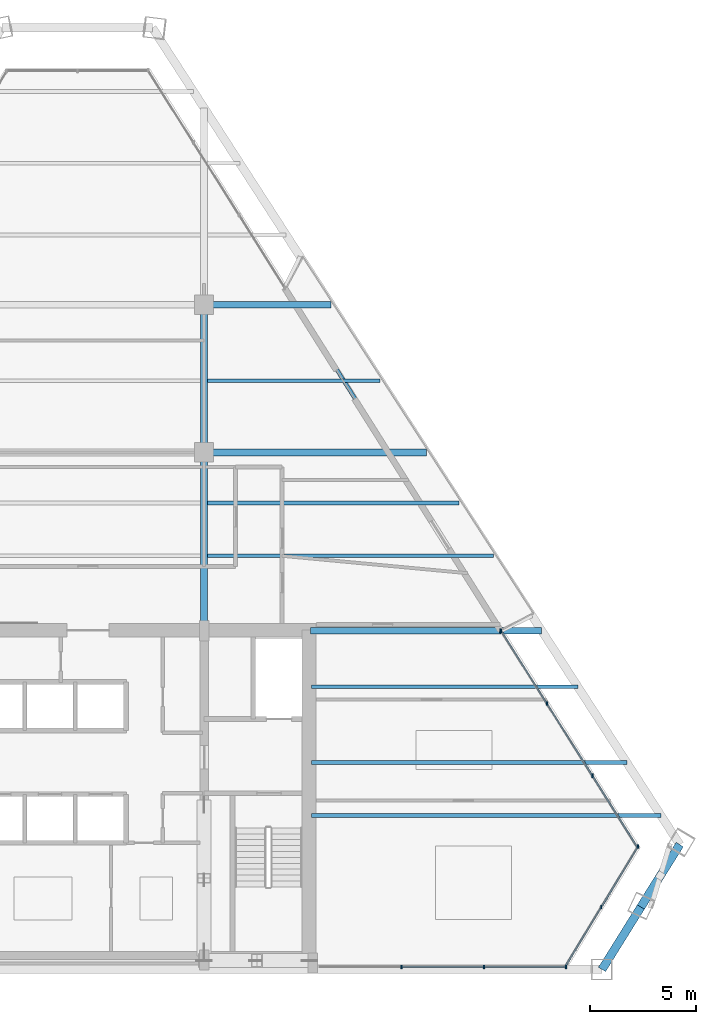
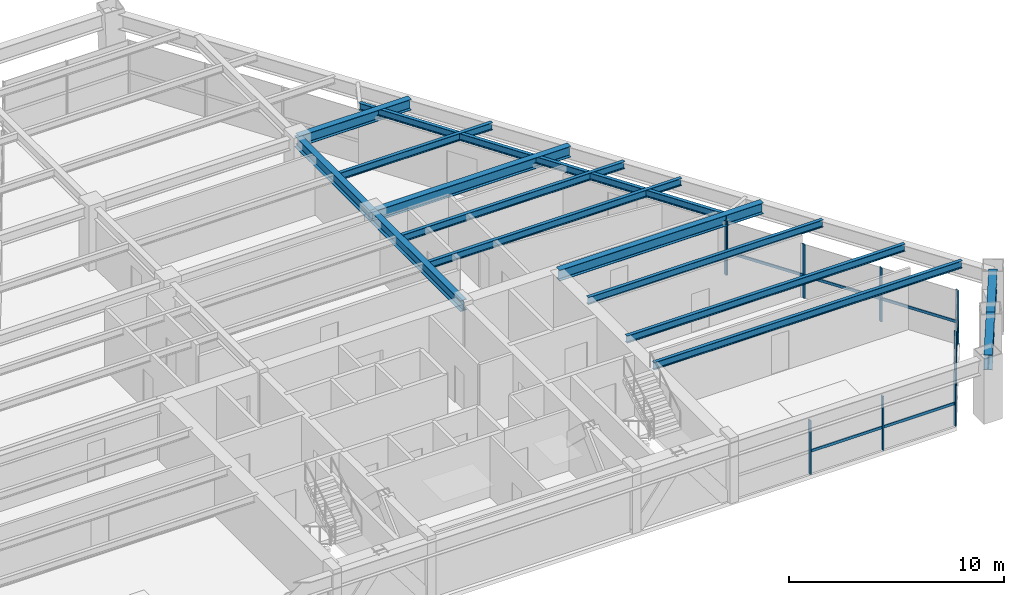
# One storey, part 4 of 12: 16 members, 14 beams, 3 elements without a shape of their own.
"""IFC4 building model written with IfcOpenShell, lengths in metres."""

from ifc_helpers import new_model, si_unit, direction, frame, origin, origin_2d, place, context, subcontext, project, spatial, rectangle, i_section, extrude, source, transform, mapped, material, material_profile, profile_set, type_object, type_shapes, element, aggregate, save


model = new_model("IFC4")

# Units and contexts
model_context = context("Model", 3, precision=1e-05, world=origin(), true_north=direction((0.0, 1.0)))
body_context = subcontext(model_context, "Body", "Model", "MODEL_VIEW")
ifc_project = project(units=[si_unit("LENGTHUNIT", "METRE"), si_unit("AREAUNIT", "SQUARE_METRE"), si_unit("VOLUMEUNIT", "CUBIC_METRE"), si_unit("PLANEANGLEUNIT", "RADIAN"), si_unit("MASSUNIT", "GRAM", prefix="KILO")], contexts=[model_context])

# Site, building, storey
site_placement = place(None, origin())
site = spatial("IfcSite", under=ifc_project, at=site_placement, CompositionType="ELEMENT")
building_placement = place(site_placement, origin())
building = spatial("IfcBuilding", under=site, at=building_placement, Name="Varnakhor Terracotta Tower", CompositionType="ELEMENT")
storey_placement = place(building_placement, frame((0.0, 0.0, 208.0)))
storey = spatial("IfcBuildingStorey", under=building, at=storey_placement, Name="L53", CompositionType="ELEMENT", Elevation=208.0)

# Beams
ifc_material_1 = material(Name="Steel S355", Category="steel")
ifc_material_profile_1 = material_profile(ifc_material_1, i_section(OverallWidth=0.324951171875, OverallDepth=0.615966796875, WebThickness=0.013916015625, FlangeThickness=0.02197265625, FilletRadius=0.01806640625, at=origin_2d()), Name="W24X117")
ifc_profile_set_1 = profile_set([ifc_material_profile_1], Name="Steel S355")
beam_type_1 = type_object("IfcBeamType", Name="BM-W24X117", PredefinedType="BEAM", material=ifc_profile_set_1)
shared_shape_1 = source(origin(), body_context, "Body", "SweptSolid", [
    extrude(i_section(OverallWidth=0.324951171875, OverallDepth=0.615966796875, WebThickness=0.013916015625, FlangeThickness=0.02197265625, FilletRadius=0.01806640625, at=origin_2d()), origin(), (0.0, 0.0, 1.0), 8.449951171875),
])
type_shapes(beam_type_1, [shared_shape_1])
beam_1_placement = place(storey_placement, frame((5.5, 16.050048828125, 3.162109375), z_axis=(0.0, 1.0, 0.0), x_axis=(-1.0, 0.0, 0.0)))
element("IfcBeam", 1, at=beam_1_placement, inside=storey, type_object=beam_type_1, Name="L53 Primary Girder NS1-E", PredefinedType="BEAM", context=body_context, shape_type="MappedRepresentation", body=[
    mapped(shared_shape_1, transform((0.0, 0.0, 0.0), scale=1.0)),
])
shared_shape_2 = source(origin(), body_context, "Body", "SweptSolid", [
    extrude(i_section(OverallWidth=0.324951171875, OverallDepth=0.615966796875, WebThickness=0.013916015625, FlangeThickness=0.02197265625, FilletRadius=0.01806640625, at=origin_2d()), origin(), (0.0, 0.0, 1.0), 7.0),
])
beam_2_placement = place(storey_placement, frame((5.5, 24.5, 3.162109375), z_axis=(0.0, 1.0, 0.0), x_axis=(-1.0, 0.0, 0.0)))
element("IfcBeam", 2, at=beam_2_placement, inside=storey, type_object=beam_type_1, Name="L53 Primary Girder NS2-E", PredefinedType="BEAM", context=body_context, shape_type="MappedRepresentation", body=[
    mapped(shared_shape_2, transform((0.0, 0.0, 0.0), scale=1.0)),
])
ifc_material_profile_2 = material_profile(ifc_material_1, i_section(OverallWidth=0.39990234375, OverallDepth=0.85498046875, WebThickness=0.01806640625, FlangeThickness=0.029052734375, FilletRadius=0.01806640625, at=origin_2d()), Name="W33X201")
ifc_profile_set_2 = profile_set([ifc_material_profile_2], Name="Steel S355")
beam_type_2 = type_object("IfcBeamType", Name="BM-W33X201", PredefinedType="BEAM", material=ifc_profile_set_2)
shared_shape_3 = source(origin(), body_context, "Body", "SweptSolid", [
    extrude(i_section(OverallWidth=0.39990234375, OverallDepth=0.85498046875, WebThickness=0.01806640625, FlangeThickness=0.029052734375, FilletRadius=0.01806640625, at=origin_2d()), origin(), (0.0, 0.0, 1.0), 3.484619140625),
])
beam_3_placement = place(storey_placement, frame((24.357421875, 0.0, 3.04248046875), z_axis=(0.528612750095, 0.84886309876, 0.0), x_axis=(-0.84886309876, 0.528612750095, 0.0)))
element("IfcBeam", 3, at=beam_3_placement, inside=storey, type_object=beam_type_2, Name="L53 Perimeter Spandrel 2", PredefinedType="BEAM", context=body_context, shape_type="MappedRepresentation", body=[
    mapped(shared_shape_3, transform((0.0, 0.0, 0.0), scale=1.0)),
])
shared_shape_4 = source(origin(), body_context, "Body", "SweptSolid", [
    extrude(i_section(OverallWidth=0.39990234375, OverallDepth=0.85498046875, WebThickness=0.01806640625, FlangeThickness=0.029052734375, FilletRadius=0.01806640625, at=origin_2d()), origin(), (0.0, 0.0, 1.0), 3.48486328125),
])
beam_4_placement = place(storey_placement, frame((26.199462890625, 2.9580078125, 3.04248046875), z_axis=(0.528530827568, 0.848914108913, 0.0), x_axis=(-0.848914108913, 0.528530827568, 0.0)))
element("IfcBeam", 4, at=beam_4_placement, inside=storey, type_object=beam_type_2, Name="L53 Perimeter Spandrel 3", PredefinedType="BEAM", context=body_context, shape_type="MappedRepresentation", body=[
    mapped(shared_shape_4, transform((0.0, 0.0, 0.0), scale=1.0)),
])
ifc_material_profile_3 = material_profile(ifc_material_1, i_section(OverallWidth=0.179931640625, OverallDepth=0.39990234375, WebThickness=0.008544921875, FlangeThickness=0.013427734375, FilletRadius=0.01806640625, at=origin_2d()), Name="IPE400")
ifc_profile_set_3 = profile_set([ifc_material_profile_3], Name="Steel S355")
beam_type_3 = type_object("IfcBeamType", Name="JST-IPE400", PredefinedType="JOIST", material=ifc_profile_set_3)
shared_shape_5 = source(origin(), body_context, "Body", "SweptSolid", [
    extrude(i_section(OverallWidth=0.179931640625, OverallDepth=0.39990234375, WebThickness=0.008544921875, FlangeThickness=0.013427734375, FilletRadius=0.01806640625, at=origin_2d()), origin(), (0.0, 0.0, 1.0), 19.257080078125),
])
beam_5_placement = place(storey_placement, frame((19.577392578125, 16.037109375, 3.27001953125), z_axis=(-0.532296686934, 0.8465578758, 0.0), x_axis=(-0.8465578758, -0.532296686934, 0.0)))
element("IfcBeam", 5, at=beam_5_placement, inside=storey, type_object=beam_type_3, Name="L53 Loggia Edge Beam 1", PredefinedType="JOIST", context=body_context, shape_type="MappedRepresentation", body=[
    mapped(shared_shape_5, transform((0.0, 0.0, 0.0), scale=1.0)),
])
shared_shape_6 = source(origin(), body_context, "Body", "SweptSolid", [
    extrude(i_section(OverallWidth=0.324951171875, OverallDepth=0.615966796875, WebThickness=0.013916015625, FlangeThickness=0.02197265625, FilletRadius=0.01806640625, at=origin_2d()), origin(), (0.0, 0.0, 1.0), 10.9482421875),
])
beam_6_placement = place(storey_placement, frame((10.550048828125, 16.050048828125, 3.162109375), z_axis=(1.0, 0.0, 0.0), x_axis=(0.0, 1.0, 0.0)))
element("IfcBeam", 6, at=beam_6_placement, inside=storey, type_object=beam_type_1, Name="L53 Wing Girder E", PredefinedType="BEAM", context=body_context, shape_type="MappedRepresentation", body=[
    mapped(shared_shape_6, transform((0.0, 0.0, 0.0), scale=1.0)),
])
shared_shape_7 = source(origin(), body_context, "Body", "SweptSolid", [
    extrude(i_section(OverallWidth=0.324951171875, OverallDepth=0.615966796875, WebThickness=0.013916015625, FlangeThickness=0.02197265625, FilletRadius=0.01806640625, at=origin_2d()), origin(), (0.0, 0.0, 1.0), 10.54248046875),
])
beam_7_placement = place(storey_placement, frame((5.5, 24.5, 3.162109375), z_axis=(1.0, 0.0, 0.0), x_axis=(0.0, 1.0, 0.0)))
element("IfcBeam", 7, at=beam_7_placement, inside=storey, type_object=beam_type_1, Name="L53 Primary Girder EW2-3", PredefinedType="BEAM", context=body_context, shape_type="MappedRepresentation", body=[
    mapped(shared_shape_7, transform((0.0, 0.0, 0.0), scale=1.0)),
])
shared_shape_8 = source(origin(), body_context, "Body", "SweptSolid", [
    extrude(i_section(OverallWidth=0.324951171875, OverallDepth=0.615966796875, WebThickness=0.013916015625, FlangeThickness=0.02197265625, FilletRadius=0.01806640625, at=origin_2d()), origin(), (0.0, 0.0, 1.0), 6.02294921875),
])
beam_8_placement = place(storey_placement, frame((5.5, 31.5, 3.162109375), z_axis=(1.0, 0.0, 0.0), x_axis=(0.0, 1.0, 0.0)))
element("IfcBeam", 8, at=beam_8_placement, inside=storey, type_object=beam_type_1, Name="L53 Primary Girder EW3-3", PredefinedType="BEAM", context=body_context, shape_type="MappedRepresentation", body=[
    mapped(shared_shape_8, transform((0.0, 0.0, 0.0), scale=1.0)),
])
ifc_material_profile_4 = material_profile(ifc_material_1, i_section(OverallWidth=0.179931640625, OverallDepth=0.4130859375, WebThickness=0.009765625, FlangeThickness=0.01611328125, FilletRadius=0.01806640625, at=origin_2d()), Name="W16X50")
ifc_profile_set_4 = profile_set([ifc_material_profile_4], Name="Steel S355")
beam_type_4 = type_object("IfcBeamType", Name="JST-W16X50", PredefinedType="JOIST", material=ifc_profile_set_4)
shared_shape_9 = source(origin(), body_context, "Body", "SweptSolid", [
    extrude(i_section(OverallWidth=0.179931640625, OverallDepth=0.4130859375, WebThickness=0.009765625, FlangeThickness=0.01611328125, FilletRadius=0.01806640625, at=origin_2d()), origin(), (0.0, 0.0, 1.0), 16.547607421875),
])
beam_9_placement = place(storey_placement, frame((10.60009765625, 7.300048828125, 3.263427734375), z_axis=(1.0, 0.0, 0.0), x_axis=(0.0, 1.0, 0.0)))
element("IfcBeam", 9, at=beam_9_placement, inside=storey, type_object=beam_type_4, Name="L53 Floor Joist E1", PredefinedType="JOIST", context=body_context, shape_type="MappedRepresentation", body=[
    mapped(shared_shape_9, transform((0.0, 0.0, 0.0), scale=1.0)),
])
shared_shape_10 = source(origin(), body_context, "Body", "SweptSolid", [
    extrude(i_section(OverallWidth=0.179931640625, OverallDepth=0.4130859375, WebThickness=0.009765625, FlangeThickness=0.01611328125, FilletRadius=0.01806640625, at=origin_2d()), origin(), (0.0, 0.0, 1.0), 14.93359375),
])
beam_10_placement = place(storey_placement, frame((10.60009765625, 9.800048828125, 3.263427734375), z_axis=(1.0, 0.0, 0.0), x_axis=(0.0, 1.0, 0.0)))
element("IfcBeam", 10, at=beam_10_placement, inside=storey, type_object=beam_type_4, Name="L53 Floor Joist E2", PredefinedType="JOIST", context=body_context, shape_type="MappedRepresentation", body=[
    mapped(shared_shape_10, transform((0.0, 0.0, 0.0), scale=1.0)),
])
shared_shape_11 = source(origin(), body_context, "Body", "SweptSolid", [
    extrude(i_section(OverallWidth=0.179931640625, OverallDepth=0.4130859375, WebThickness=0.009765625, FlangeThickness=0.01611328125, FilletRadius=0.01806640625, at=origin_2d()), origin(), (0.0, 0.0, 1.0), 12.609130859375),
])
beam_11_placement = place(storey_placement, frame((10.60009765625, 13.39990234375, 3.263427734375), z_axis=(1.0, 0.0, 0.0), x_axis=(0.0, 1.0, 0.0)))
element("IfcBeam", 11, at=beam_11_placement, inside=storey, type_object=beam_type_4, Name="L53 Floor Joist E3", PredefinedType="JOIST", context=body_context, shape_type="MappedRepresentation", body=[
    mapped(shared_shape_11, transform((0.0, 0.0, 0.0), scale=1.0)),
])
shared_shape_12 = source(origin(), body_context, "Body", "SweptSolid", [
    extrude(i_section(OverallWidth=0.179931640625, OverallDepth=0.4130859375, WebThickness=0.009765625, FlangeThickness=0.01611328125, FilletRadius=0.01806640625, at=origin_2d()), origin(), (0.0, 0.0, 1.0), 13.5478515625),
])
beam_12_placement = place(storey_placement, frame((5.658447265625, 19.60009765625, 3.263427734375), z_axis=(1.0, 0.0, 0.0), x_axis=(0.0, 1.0, 0.0)))
element("IfcBeam", 12, at=beam_12_placement, inside=storey, type_object=beam_type_4, Name="L53 Composite Floor Joist 4-3", PredefinedType="JOIST", context=body_context, shape_type="MappedRepresentation", body=[
    mapped(shared_shape_12, transform((0.0, 0.0, 0.0), scale=1.0)),
])
shared_shape_13 = source(origin(), body_context, "Body", "SweptSolid", [
    extrude(i_section(OverallWidth=0.179931640625, OverallDepth=0.4130859375, WebThickness=0.009765625, FlangeThickness=0.01611328125, FilletRadius=0.01806640625, at=origin_2d()), origin(), (0.0, 0.0, 1.0), 11.93359375),
])
beam_13_placement = place(storey_placement, frame((5.658447265625, 22.10009765625, 3.263427734375), z_axis=(1.0, 0.0, 0.0), x_axis=(0.0, 1.0, 0.0)))
element("IfcBeam", 13, at=beam_13_placement, inside=storey, type_object=beam_type_4, Name="L53 Composite Floor Joist 5-3", PredefinedType="JOIST", context=body_context, shape_type="MappedRepresentation", body=[
    mapped(shared_shape_13, transform((0.0, 0.0, 0.0), scale=1.0)),
])
shared_shape_14 = source(origin(), body_context, "Body", "SweptSolid", [
    extrude(i_section(OverallWidth=0.179931640625, OverallDepth=0.4130859375, WebThickness=0.009765625, FlangeThickness=0.01611328125, FilletRadius=0.01806640625, at=origin_2d()), origin(), (0.0, 0.0, 1.0), 8.18896484375),
])
beam_14_placement = place(storey_placement, frame((5.658447265625, 27.89990234375, 3.263427734375), z_axis=(1.0, 0.0, 0.0), x_axis=(0.0, 1.0, 0.0)))
element("IfcBeam", 14, at=beam_14_placement, inside=storey, type_object=beam_type_4, Name="L53 Composite Floor Joist 6-3", PredefinedType="JOIST", context=body_context, shape_type="MappedRepresentation", body=[
    mapped(shared_shape_14, transform((0.0, 0.0, 0.0), scale=1.0)),
])

# Curtain wall, members
ifc_material_2 = material(Name="Anodised Aluminium Curtain Wall System", Category="aluminium")
curtain_wall_type = type_object("IfcCurtainWallType", Name="CW-SYS-MID-OFFICE", PredefinedType="NOTDEFINED", material=ifc_material_2)
curtain_wall_1_placement = place(storey_placement, origin())
curtain_wall_1 = element("IfcCurtainWall", 15, at=curtain_wall_1_placement, inside=storey, type_object=curtain_wall_type, Name="L53 E Facet Curtain Wall 2", PredefinedType="NOTDEFINED")
ifc_material_3 = material(Name="Anodised Aluminium 6063-T6", Category="aluminium")
ifc_material_profile_5 = material_profile(ifc_material_3, rectangle(XDim=0.070068359375, YDim=0.175048828125, at=origin_2d()), Name="ALU MULLION 70x175")
ifc_profile_set_5 = profile_set([ifc_material_profile_5], Name="Anodised Aluminium 6063-T6")
member_type_1 = type_object("IfcMemberType", Name="CWM-03", PredefinedType="MULLION", material=ifc_profile_set_5)
shared_shape_15 = source(origin(), body_context, "Body", "SweptSolid", [
    extrude(rectangle(XDim=0.070068359375, YDim=0.175048828125, at=origin_2d()), origin(), (0.0, 0.0, 1.0), 3.050048828125),
])
member_1_placement = place(storey_placement, frame((19.583251953125, 16.0322265625, 0.0), z_axis=(0.0, 0.0, 1.0), x_axis=(1.0, 0.0, 0.0)))
member_1 = element("IfcMember", 16, at=member_1_placement, type_object=member_type_1, Name="L53 E Facet Curtain Wall 2 Mullion 1", PredefinedType="MULLION", context=body_context, shape_type="MappedRepresentation", body=[
    mapped(shared_shape_15, transform((0.0, 0.0, 0.0), scale=1.0)),
])
member_2_placement = place(storey_placement, frame((21.7431640625, 12.603271484375, 0.0), z_axis=(0.0, 0.0, 1.0), x_axis=(1.0, 0.0, 0.0)))
member_2 = element("IfcMember", 17, at=member_2_placement, type_object=member_type_1, Name="L53 E Facet Curtain Wall 2 Mullion 2", PredefinedType="MULLION", context=body_context, shape_type="MappedRepresentation", body=[
    mapped(shared_shape_15, transform((0.0, 0.0, 0.0), scale=1.0)),
])
member_3_placement = place(storey_placement, frame((23.903076171875, 9.17431640625, 0.0), z_axis=(0.0, 0.0, 1.0), x_axis=(1.0, 0.0, 0.0)))
member_3 = element("IfcMember", 18, at=member_3_placement, type_object=member_type_1, Name="L53 E Facet Curtain Wall 2 Mullion 3", PredefinedType="MULLION", context=body_context, shape_type="MappedRepresentation", body=[
    mapped(shared_shape_15, transform((0.0, 0.0, 0.0), scale=1.0)),
])
member_4_placement = place(storey_placement, frame((19.55029296875, 16.046875, 0.0), z_axis=(0.0, 0.0, 1.0), x_axis=(1.0, 0.0, 0.0)))
member_4 = element("IfcMember", 19, at=member_4_placement, type_object=member_type_1, Name="L53 E Loggia Jamb Closure Mullion 2", PredefinedType="MULLION", context=body_context, shape_type="MappedRepresentation", body=[
    mapped(shared_shape_15, transform((0.0, 0.0, 0.0), scale=1.0)),
])

curtain_wall_2_placement = place(storey_placement, origin())
curtain_wall_2 = element("IfcCurtainWall", 20, at=curtain_wall_2_placement, inside=storey, type_object=curtain_wall_type, Name="L53 Facet Curtain Wall 4", PredefinedType="NOTDEFINED")
member_5_placement = place(storey_placement, frame((26.062255859375, 5.82080078125, 0.0), z_axis=(0.0, 0.0, 1.0), x_axis=(1.0, 0.0, 0.0)))
member_5 = element("IfcMember", 21, at=member_5_placement, type_object=member_type_1, Name="L53 Facet Curtain Wall 4 Mullion 1", PredefinedType="MULLION", context=body_context, shape_type="MappedRepresentation", body=[
    mapped(shared_shape_15, transform((0.0, 0.0, 0.0), scale=1.0)),
])
member_6_placement = place(storey_placement, frame((24.322265625, 2.954345703125, 0.0), z_axis=(0.0, 0.0, 1.0), x_axis=(1.0, 0.0, 0.0)))
member_6 = element("IfcMember", 22, at=member_6_placement, type_object=member_type_1, Name="L53 Facet Curtain Wall 4 Mullion 2", PredefinedType="MULLION", context=body_context, shape_type="MappedRepresentation", body=[
    mapped(shared_shape_15, transform((0.0, 0.0, 0.0), scale=1.0)),
])

curtain_wall_3_placement = place(storey_placement, origin())
curtain_wall_3 = element("IfcCurtainWall", 23, at=curtain_wall_3_placement, inside=storey, type_object=curtain_wall_type, Name="L53 South Wing Curtain Wall SSE", PredefinedType="NOTDEFINED")
member_7_placement = place(storey_placement, frame((22.6591796875, 0.1201171875, 0.0), z_axis=(0.0, 0.0, 1.0), x_axis=(1.0, 0.0, 0.0)))
member_7 = element("IfcMember", 24, at=member_7_placement, type_object=member_type_1, Name="L53 South Wing Curtain Wall SSE Mullion 1", PredefinedType="MULLION", context=body_context, shape_type="MappedRepresentation", body=[
    mapped(shared_shape_15, transform((0.0, 0.0, 0.0), scale=1.0)),
])
member_8_placement = place(storey_placement, frame((18.7626953125, 0.1201171875, 0.0), z_axis=(0.0, 0.0, 1.0), x_axis=(1.0, 0.0, 0.0)))
member_8 = element("IfcMember", 25, at=member_8_placement, type_object=member_type_1, Name="L53 South Wing Curtain Wall SSE Mullion 2", PredefinedType="MULLION", context=body_context, shape_type="MappedRepresentation", body=[
    mapped(shared_shape_15, transform((0.0, 0.0, 0.0), scale=1.0)),
])
member_9_placement = place(storey_placement, frame((14.866455078125, 0.1201171875, 0.0), z_axis=(0.0, 0.0, 1.0), x_axis=(1.0, 0.0, 0.0)))
member_9 = element("IfcMember", 26, at=member_9_placement, type_object=member_type_1, Name="L53 South Wing Curtain Wall SSE Mullion 3", PredefinedType="MULLION", context=body_context, shape_type="MappedRepresentation", body=[
    mapped(shared_shape_15, transform((0.0, 0.0, 0.0), scale=1.0)),
])

# Member
ifc_material_profile_6 = material_profile(ifc_material_3, rectangle(XDim=0.070068359375, YDim=0.155029296875, at=origin_2d()), Name="ALU TRANSOM 70x155")
ifc_profile_set_6 = profile_set([ifc_material_profile_6], Name="Anodised Aluminium 6063-T6")
member_type_2 = type_object("IfcMemberType", Name="CWT-03", PredefinedType="USERDEFINED", material=ifc_profile_set_6)
shared_shape_16 = source(origin(), body_context, "Body", "SweptSolid", [
    extrude(rectangle(XDim=0.070068359375, YDim=0.155029296875, at=origin_2d()), origin(), (0.0, 0.0, 1.0), 4.052490234375),
])
member_10_placement = place(storey_placement, frame((19.583251953125, 16.0322265625, 1.281005859375), z_axis=(0.532979433672, -0.846128195537, 0.0), x_axis=(0.846128195537, 0.532979433672, 0.0)))
member_10 = element("IfcMember", 27, at=member_10_placement, type_object=member_type_2, Name="L53 E Facet Curtain Wall 2 Transom 1", ObjectType="TRANSOM", PredefinedType="USERDEFINED", context=body_context, shape_type="MappedRepresentation", body=[
    mapped(shared_shape_16, transform((0.0, 0.0, 0.0), scale=1.0)),
])

member_11_placement = place(storey_placement, frame((21.7431640625, 12.603271484375, 1.281005859375), z_axis=(0.532979433672, -0.846128195537, 0.0), x_axis=(0.846128195537, 0.532979433672, 0.0)))
member_11 = element("IfcMember", 28, at=member_11_placement, type_object=member_type_2, Name="L53 E Facet Curtain Wall 2 Transom 2", ObjectType="TRANSOM", PredefinedType="USERDEFINED", context=body_context, shape_type="MappedRepresentation", body=[
    mapped(shared_shape_16, transform((0.0, 0.0, 0.0), scale=1.0)),
])

shared_shape_17 = source(origin(), body_context, "Body", "SweptSolid", [
    extrude(rectangle(XDim=0.070068359375, YDim=0.155029296875, at=origin_2d()), origin(), (0.0, 0.0, 1.0), 4.05224609375),
])
member_12_placement = place(storey_placement, frame((23.903076171875, 9.17431640625, 1.281005859375), z_axis=(0.533006602993, -0.846111080867, 0.0), x_axis=(0.846111080867, 0.533006602993, 0.0)))
member_12 = element("IfcMember", 29, at=member_12_placement, type_object=member_type_2, Name="L53 E Facet Curtain Wall 2 Transom 3", ObjectType="TRANSOM", PredefinedType="USERDEFINED", context=body_context, shape_type="MappedRepresentation", body=[
    mapped(shared_shape_17, transform((0.0, 0.0, 0.0), scale=1.0)),
])

aggregate(curtain_wall_1, [member_1, member_10, member_2, member_11, member_3, member_12, member_4])

shared_shape_18 = source(origin(), body_context, "Body", "SweptSolid", [
    extrude(rectangle(XDim=0.070068359375, YDim=0.155029296875, at=origin_2d()), origin(), (0.0, 0.0, 1.0), 3.353271484375),
])
member_13_placement = place(storey_placement, frame((26.062255859375, 5.82080078125, 1.281005859375), z_axis=(-0.518900235348, -0.854834806121, 0.0), x_axis=(0.854834806121, -0.518900235348, 0.0)))
member_13 = element("IfcMember", 30, at=member_13_placement, type_object=member_type_2, Name="L53 Facet Curtain Wall 4 Transom 1", ObjectType="TRANSOM", PredefinedType="USERDEFINED", context=body_context, shape_type="MappedRepresentation", body=[
    mapped(shared_shape_18, transform((0.0, 0.0, 0.0), scale=1.0)),
])

member_14_placement = place(storey_placement, frame((24.322265625, 2.954345703125, 1.281005859375), z_axis=(-0.518953435992, -0.854802510099, 0.0), x_axis=(0.854802510099, -0.518953435992, 0.0)))
member_14 = element("IfcMember", 31, at=member_14_placement, type_object=member_type_2, Name="L53 Facet Curtain Wall 4 Transom 2", ObjectType="TRANSOM", PredefinedType="USERDEFINED", context=body_context, shape_type="MappedRepresentation", body=[
    mapped(shared_shape_18, transform((0.0, 0.0, 0.0), scale=1.0)),
])

aggregate(curtain_wall_2, [member_5, member_13, member_6, member_14])

shared_shape_19 = source(origin(), body_context, "Body", "SweptSolid", [
    extrude(rectangle(XDim=0.070068359375, YDim=0.155029296875, at=origin_2d()), origin(), (0.0, 0.0, 1.0), 3.896484375),
])
member_15_placement = place(storey_placement, frame((22.6591796875, 0.1201171875, 1.281005859375), z_axis=(-1.0, 0.0, 0.0), x_axis=(0.0, -1.0, 0.0)))
member_15 = element("IfcMember", 32, at=member_15_placement, type_object=member_type_2, Name="L53 South Wing Curtain Wall SSE Transom 1", ObjectType="TRANSOM", PredefinedType="USERDEFINED", context=body_context, shape_type="MappedRepresentation", body=[
    mapped(shared_shape_19, transform((0.0, 0.0, 0.0), scale=1.0)),
])

shared_shape_20 = source(origin(), body_context, "Body", "SweptSolid", [
    extrude(rectangle(XDim=0.070068359375, YDim=0.155029296875, at=origin_2d()), origin(), (0.0, 0.0, 1.0), 3.896240234375),
])
member_16_placement = place(storey_placement, frame((18.7626953125, 0.1201171875, 1.281005859375), z_axis=(-1.0, 0.0, 0.0), x_axis=(0.0, -1.0, 0.0)))
member_16 = element("IfcMember", 33, at=member_16_placement, type_object=member_type_2, Name="L53 South Wing Curtain Wall SSE Transom 2", ObjectType="TRANSOM", PredefinedType="USERDEFINED", context=body_context, shape_type="MappedRepresentation", body=[
    mapped(shared_shape_20, transform((0.0, 0.0, 0.0), scale=1.0)),
])

aggregate(curtain_wall_3, [member_7, member_15, member_8, member_16, member_9])

save(model, "model.ifc")
